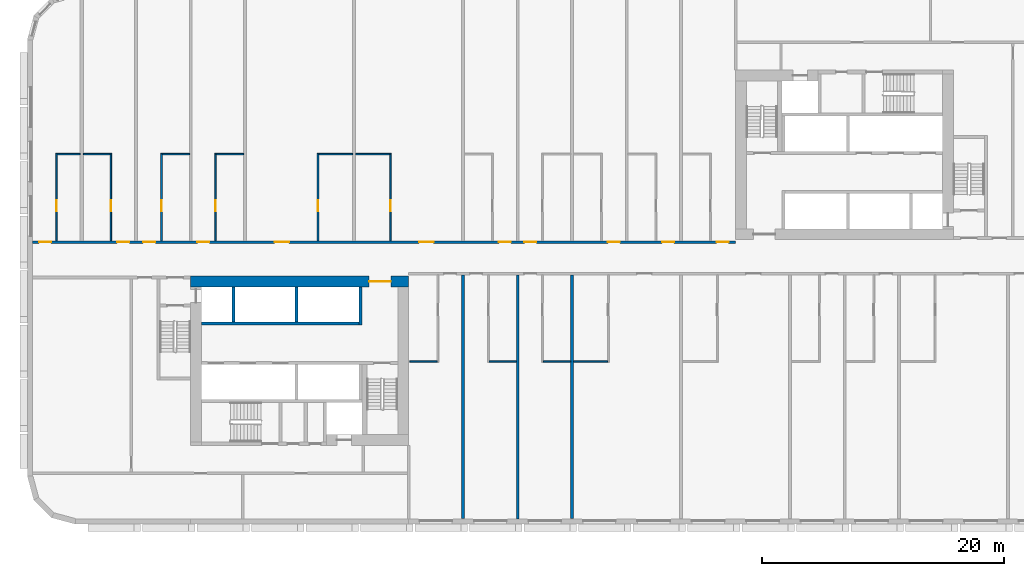
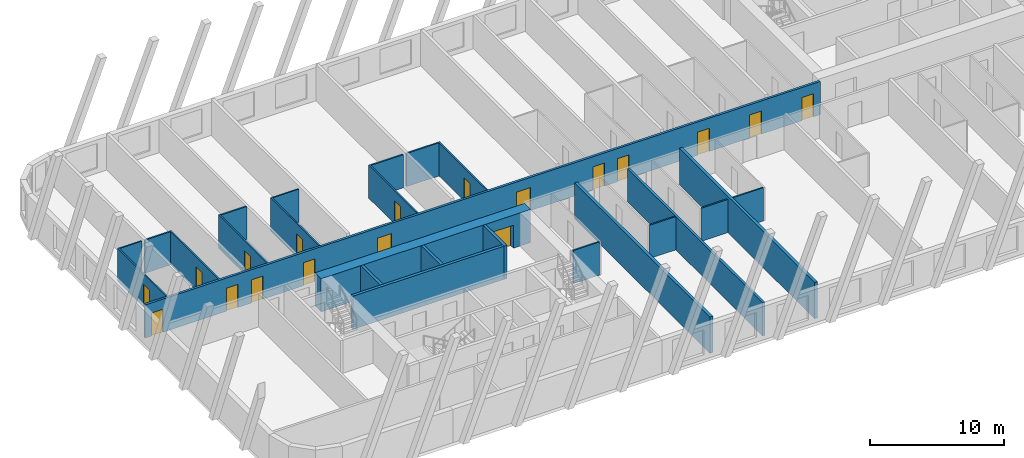
# One storey, part 3 of 13: 25 walls, 18 doors, 18 openings.
"""IFC4 building model written with IfcOpenShell, lengths in metres."""

from ifc_helpers import new_model, si_unit, direction, frame, frame_2d, origin, place, context, subcontext, project, spatial, rectangle, extrude, material, layer, layer_set, type_object, element, fill, save


model = new_model("IFC4")

# Units and contexts
model_context = context("Model", 3, precision=1e-05, world=origin(), true_north=direction((0.0, 1.0)))
body_context = subcontext(model_context, "Body", "Model", "MODEL_VIEW")
ifc_project = project(units=[si_unit("LENGTHUNIT", "METRE"), si_unit("AREAUNIT", "SQUARE_METRE"), si_unit("VOLUMEUNIT", "CUBIC_METRE"), si_unit("PLANEANGLEUNIT", "RADIAN"), si_unit("MASSUNIT", "GRAM", prefix="KILO")], contexts=[model_context])

# Site, building, storey
site_placement = place(None, origin())
site = spatial("IfcSite", under=ifc_project, at=site_placement, CompositionType="ELEMENT")
building_placement = place(site_placement, origin())
building = spatial("IfcBuilding", under=site, at=building_placement, Name="Kajstack Hotel Tower", CompositionType="ELEMENT")
storey_placement = place(building_placement, frame((0.0, 0.0, 69.89990234375)))
storey = spatial("IfcBuildingStorey", under=building, at=storey_placement, Name="L12", CompositionType="ELEMENT", Elevation=69.89990234375)

# Wall, opening, door
ifc_material_1 = material(Name="Concrete C60/75", Category="concrete")
ifc_layer_1 = layer(ifc_material_1, 0.89990234375)
ifc_layer_set_1 = layer_set([ifc_layer_1], Name="Core wall 900")
wall_type_1 = type_object("IfcWallType", Name="Core wall 900", PredefinedType="SHEAR", material=ifc_layer_set_1)
wall_1_placement = place(storey_placement, frame((-31.5, -1.949951171875, 0.0), z_axis=(0.0, 0.0, 1.0), x_axis=(1.0, 0.0, 0.0)))
wall_1 = element("IfcWall", 1, at=wall_1_placement, inside=storey, type_object=wall_type_1, Name="Core wall W RN", PredefinedType="SHEAR", context=body_context, shape_type="SweptSolid", body=[
    extrude(rectangle(XDim=18.0, YDim=0.89990234375, at=frame_2d((9.0, 0.0))), origin(), (0.0, 0.0, 1.0), 3.02001953125),
])
opening_1_placement = place(wall_1_placement, frame((14.72509765625, 0.0, 0.0)))
opening_1 = element("IfcOpeningElement", 2, at=opening_1_placement, cuts=wall_1, Name="Opening 12W06", PredefinedType="OPENING", context=body_context, shape_type="SweptSolid", body=[
    extrude(rectangle(XDim=1.800048828125, YDim=2.10009765625, at=frame_2d((0.89990234375, 1.050048828125))), frame((0.0, 0.4599609375, 0.0), z_axis=(0.0, -1.0, 0.0), x_axis=(1.0, 0.0, 0.0)), (0.0, 0.0, 1.0), 0.919921875),
])
ifc_material_2 = material(Name="Glazed steel frame, fire-rated glass", Category="steel")
door_type_1 = type_object("IfcDoorType", Name="Lobby double door 1800", OperationType="DOUBLE_DOOR_DOUBLE_SWING", PredefinedType="DOOR", material=ifc_material_2)
door_1_placement = place(opening_1_placement, origin())
door_1 = element("IfcDoor", 3, at=door_1_placement, inside=storey, type_object=door_type_1, Name="Door 12W06", OperationType="DOUBLE_DOOR_DOUBLE_SWING", OverallHeight=2.10009765625, OverallWidth=1.800048828125, PredefinedType="DOOR", context=body_context, shape_type="SweptSolid", body=[
    extrude(rectangle(XDim=1.800048828125, YDim=2.10009765625, at=frame_2d((0.89990234375, 1.050048828125))), frame((0.0, 0.02490234375, 0.0), z_axis=(0.0, -1.0, 0.0), x_axis=(1.0, 0.0, 0.0)), (0.0, 0.0, 1.0), 0.050048828125),
])
fill(opening_1, door_1)

# Wall, openings, doors
ifc_material_3 = material(Name="Gypsum board on steel studs, mineral wool", Category="steel")
ifc_layer_2 = layer(ifc_material_3, 0.199951171875)
ifc_layer_set_2 = layer_set([ifc_layer_2], Name="Corridor wall 200")
wall_type_2 = type_object("IfcWallType", Name="Corridor wall 200", PredefinedType="PARTITIONING", material=ifc_layer_set_2)
wall_2_placement = place(storey_placement, frame((-44.550048828125, 1.300048828125, 0.0), z_axis=(0.0, 0.0, 1.0), x_axis=(1.0, 0.0, 0.0)))
wall_2 = element("IfcWall", 4, at=wall_2_placement, inside=storey, type_object=wall_type_2, Name="G-wall-L12-003", PredefinedType="PARTITIONING", context=body_context, shape_type="SweptSolid", body=[
    extrude(rectangle(XDim=58.050048828125, YDim=0.199951171875, at=frame_2d((29.02490234375, 0.0))), origin(), (0.0, 0.0, 1.0), 3.02001953125),
])
opening_2_placement = place(wall_2_placement, frame((0.52490234375, 0.0, 0.0)))
opening_2 = element("IfcOpeningElement", 5, at=opening_2_placement, cuts=wall_2, Name="Opening 12001", PredefinedType="OPENING", context=body_context, shape_type="SweptSolid", body=[
    extrude(rectangle(XDim=1.0, YDim=2.10009765625, at=frame_2d((0.5, 1.050048828125))), frame((0.0, 0.10986328125, 0.0), z_axis=(0.0, -1.0, 0.0), x_axis=(1.0, 0.0, 0.0)), (0.0, 0.0, 1.0), 0.219970703125),
])
opening_3_placement = place(wall_2_placement, frame((6.97509765625, 0.0, 0.0)))
opening_3 = element("IfcOpeningElement", 6, at=opening_3_placement, cuts=wall_2, Name="Opening 12003", PredefinedType="OPENING", context=body_context, shape_type="SweptSolid", body=[
    extrude(rectangle(XDim=1.0, YDim=2.10009765625, at=frame_2d((0.5, 1.050048828125))), frame((0.0, 0.10986328125, 0.0), z_axis=(0.0, -1.0, 0.0), x_axis=(1.0, 0.0, 0.0)), (0.0, 0.0, 1.0), 0.219970703125),
])
opening_4_placement = place(wall_2_placement, frame((9.125, 0.0, 0.0)))
opening_4 = element("IfcOpeningElement", 7, at=opening_4_placement, cuts=wall_2, Name="Opening 12005", PredefinedType="OPENING", context=body_context, shape_type="SweptSolid", body=[
    extrude(rectangle(XDim=1.0, YDim=2.10009765625, at=frame_2d((0.5, 1.050048828125))), frame((0.0, 0.10986328125, 0.0), z_axis=(0.0, -1.0, 0.0), x_axis=(1.0, 0.0, 0.0)), (0.0, 0.0, 1.0), 0.219970703125),
])
opening_5_placement = place(wall_2_placement, frame((13.60009765625, 0.0, 0.0)))
opening_5 = element("IfcOpeningElement", 8, at=opening_5_placement, cuts=wall_2, Name="Opening 12007", PredefinedType="OPENING", context=body_context, shape_type="SweptSolid", body=[
    extrude(rectangle(XDim=1.0, YDim=2.10009765625, at=frame_2d((0.5, 1.050048828125))), frame((0.0, 0.10986328125, 0.0), z_axis=(0.0, -1.0, 0.0), x_axis=(1.0, 0.0, 0.0)), (0.0, 0.0, 1.0), 0.219970703125),
])
opening_6_placement = place(wall_2_placement, frame((19.987060546875, 0.0, 0.0)))
opening_6 = element("IfcOpeningElement", 9, at=opening_6_placement, cuts=wall_2, Name="Opening 12009", PredefinedType="OPENING", context=body_context, shape_type="SweptSolid", body=[
    extrude(rectangle(XDim=1.199951171875, YDim=2.10009765625, at=frame_2d((0.60009765625, 1.050048828125))), frame((0.0, 0.10986328125, 0.0), z_axis=(0.0, -1.0, 0.0), x_axis=(1.0, 0.0, 0.0)), (0.0, 0.0, 1.0), 0.219970703125),
])
opening_7_placement = place(wall_2_placement, frame((31.912109375, 0.0, 0.0)))
opening_7 = element("IfcOpeningElement", 10, at=opening_7_placement, cuts=wall_2, Name="Opening 12011", PredefinedType="OPENING", context=body_context, shape_type="SweptSolid", body=[
    extrude(rectangle(XDim=1.199951171875, YDim=2.10009765625, at=frame_2d((0.60009765625, 1.050048828125))), frame((0.0, 0.10986328125, 0.0), z_axis=(0.0, -1.0, 0.0), x_axis=(1.0, 0.0, 0.0)), (0.0, 0.0, 1.0), 0.219970703125),
])
opening_8_placement = place(wall_2_placement, frame((38.5, 0.0, 0.0)))
opening_8 = element("IfcOpeningElement", 11, at=opening_8_placement, cuts=wall_2, Name="Opening 12013", PredefinedType="OPENING", context=body_context, shape_type="SweptSolid", body=[
    extrude(rectangle(XDim=1.0, YDim=2.10009765625, at=frame_2d((0.5, 1.050048828125))), frame((0.0, 0.10986328125, 0.0), z_axis=(0.0, -1.0, 0.0), x_axis=(1.0, 0.0, 0.0)), (0.0, 0.0, 1.0), 0.219970703125),
])
opening_9_placement = place(wall_2_placement, frame((40.60009765625, 0.0, 0.0)))
opening_9 = element("IfcOpeningElement", 12, at=opening_9_placement, cuts=wall_2, Name="Opening 12015", PredefinedType="OPENING", context=body_context, shape_type="SweptSolid", body=[
    extrude(rectangle(XDim=1.0, YDim=2.10009765625, at=frame_2d((0.5, 1.050048828125))), frame((0.0, 0.10986328125, 0.0), z_axis=(0.0, -1.0, 0.0), x_axis=(1.0, 0.0, 0.0)), (0.0, 0.0, 1.0), 0.219970703125),
])
opening_10_placement = place(wall_2_placement, frame((47.5, 0.0, 0.0)))
opening_10 = element("IfcOpeningElement", 13, at=opening_10_placement, cuts=wall_2, Name="Opening 12017", PredefinedType="OPENING", context=body_context, shape_type="SweptSolid", body=[
    extrude(rectangle(XDim=1.0, YDim=2.10009765625, at=frame_2d((0.5, 1.050048828125))), frame((0.0, 0.10986328125, 0.0), z_axis=(0.0, -1.0, 0.0), x_axis=(1.0, 0.0, 0.0)), (0.0, 0.0, 1.0), 0.219970703125),
])
opening_11_placement = place(wall_2_placement, frame((51.97509765625, 0.0, 0.0)))
opening_11 = element("IfcOpeningElement", 14, at=opening_11_placement, cuts=wall_2, Name="Opening 12019", PredefinedType="OPENING", context=body_context, shape_type="SweptSolid", body=[
    extrude(rectangle(XDim=1.0, YDim=2.10009765625, at=frame_2d((0.5, 1.050048828125))), frame((0.0, 0.10986328125, 0.0), z_axis=(0.0, -1.0, 0.0), x_axis=(1.0, 0.0, 0.0)), (0.0, 0.0, 1.0), 0.219970703125),
])
opening_12_placement = place(wall_2_placement, frame((56.47509765625, 0.0, 0.0)))
opening_12 = element("IfcOpeningElement", 15, at=opening_12_placement, cuts=wall_2, Name="Opening 12021", PredefinedType="OPENING", context=body_context, shape_type="SweptSolid", body=[
    extrude(rectangle(XDim=1.0, YDim=2.10009765625, at=frame_2d((0.5, 1.050048828125))), frame((0.0, 0.10986328125, 0.0), z_axis=(0.0, -1.0, 0.0), x_axis=(1.0, 0.0, 0.0)), (0.0, 0.0, 1.0), 0.219970703125),
])
ifc_material_4 = material(Name="Oak veneer on timber core, fire-rated leaf", Category="wood")
door_type_2 = type_object("IfcDoorType", Name="Flat entrance door 1000", OperationType="SINGLE_SWING_LEFT", PredefinedType="DOOR", material=ifc_material_4)
door_2_placement = place(opening_2_placement, origin())
door_2 = element("IfcDoor", 16, at=door_2_placement, inside=storey, type_object=door_type_2, Name="G-door-L12-01", OperationType="SINGLE_SWING_RIGHT", OverallHeight=2.10009765625, OverallWidth=1.0, PredefinedType="DOOR", context=body_context, shape_type="SweptSolid", body=[
    extrude(rectangle(XDim=1.0, YDim=2.10009765625, at=frame_2d((0.5, 1.050048828125))), frame((0.0, 0.02490234375, 0.0), z_axis=(0.0, -1.0, 0.0), x_axis=(1.0, 0.0, 0.0)), (0.0, 0.0, 1.0), 0.050048828125),
])
fill(opening_2, door_2)
door_3_placement = place(opening_3_placement, origin())
door_3 = element("IfcDoor", 17, at=door_3_placement, inside=storey, type_object=door_type_2, Name="G-door-L12-03", OperationType="SINGLE_SWING_LEFT", OverallHeight=2.10009765625, OverallWidth=1.0, PredefinedType="DOOR", context=body_context, shape_type="SweptSolid", body=[
    extrude(rectangle(XDim=1.0, YDim=2.10009765625, at=frame_2d((0.5, 1.050048828125))), frame((0.0, 0.02490234375, 0.0), z_axis=(0.0, -1.0, 0.0), x_axis=(1.0, 0.0, 0.0)), (0.0, 0.0, 1.0), 0.050048828125),
])
fill(opening_3, door_3)
door_4_placement = place(opening_4_placement, origin())
door_4 = element("IfcDoor", 18, at=door_4_placement, inside=storey, type_object=door_type_2, Name="G-door-L12-05", OperationType="SINGLE_SWING_RIGHT", OverallHeight=2.10009765625, OverallWidth=1.0, PredefinedType="DOOR", context=body_context, shape_type="SweptSolid", body=[
    extrude(rectangle(XDim=1.0, YDim=2.10009765625, at=frame_2d((0.5, 1.050048828125))), frame((0.0, 0.02490234375, 0.0), z_axis=(0.0, -1.0, 0.0), x_axis=(1.0, 0.0, 0.0)), (0.0, 0.0, 1.0), 0.050048828125),
])
fill(opening_4, door_4)
door_5_placement = place(opening_5_placement, origin())
door_5 = element("IfcDoor", 19, at=door_5_placement, inside=storey, type_object=door_type_2, Name="G-door-L12-07", OperationType="SINGLE_SWING_RIGHT", OverallHeight=2.10009765625, OverallWidth=1.0, PredefinedType="DOOR", context=body_context, shape_type="SweptSolid", body=[
    extrude(rectangle(XDim=1.0, YDim=2.10009765625, at=frame_2d((0.5, 1.050048828125))), frame((0.0, 0.02490234375, 0.0), z_axis=(0.0, -1.0, 0.0), x_axis=(1.0, 0.0, 0.0)), (0.0, 0.0, 1.0), 0.050048828125),
])
fill(opening_5, door_5)
door_6_placement = place(opening_8_placement, origin())
door_6 = element("IfcDoor", 20, at=door_6_placement, inside=storey, type_object=door_type_2, Name="G-door-L12-13", OperationType="SINGLE_SWING_RIGHT", OverallHeight=2.10009765625, OverallWidth=1.0, PredefinedType="DOOR", context=body_context, shape_type="SweptSolid", body=[
    extrude(rectangle(XDim=1.0, YDim=2.10009765625, at=frame_2d((0.5, 1.050048828125))), frame((0.0, 0.02490234375, 0.0), z_axis=(0.0, -1.0, 0.0), x_axis=(1.0, 0.0, 0.0)), (0.0, 0.0, 1.0), 0.050048828125),
])
fill(opening_8, door_6)
door_7_placement = place(opening_9_placement, origin())
door_7 = element("IfcDoor", 21, at=door_7_placement, inside=storey, type_object=door_type_2, Name="G-door-L12-15", OperationType="SINGLE_SWING_RIGHT", OverallHeight=2.10009765625, OverallWidth=1.0, PredefinedType="DOOR", context=body_context, shape_type="SweptSolid", body=[
    extrude(rectangle(XDim=1.0, YDim=2.10009765625, at=frame_2d((0.5, 1.050048828125))), frame((0.0, 0.02490234375, 0.0), z_axis=(0.0, -1.0, 0.0), x_axis=(1.0, 0.0, 0.0)), (0.0, 0.0, 1.0), 0.050048828125),
])
fill(opening_9, door_7)
door_8_placement = place(opening_10_placement, origin())
door_8 = element("IfcDoor", 22, at=door_8_placement, inside=storey, type_object=door_type_2, Name="G-door-L12-17", OperationType="SINGLE_SWING_RIGHT", OverallHeight=2.10009765625, OverallWidth=1.0, PredefinedType="DOOR", context=body_context, shape_type="SweptSolid", body=[
    extrude(rectangle(XDim=1.0, YDim=2.10009765625, at=frame_2d((0.5, 1.050048828125))), frame((0.0, 0.02490234375, 0.0), z_axis=(0.0, -1.0, 0.0), x_axis=(1.0, 0.0, 0.0)), (0.0, 0.0, 1.0), 0.050048828125),
])
fill(opening_10, door_8)
door_9_placement = place(opening_11_placement, origin())
door_9 = element("IfcDoor", 23, at=door_9_placement, inside=storey, type_object=door_type_2, Name="G-door-L12-19", OperationType="SINGLE_SWING_LEFT", OverallHeight=2.10009765625, OverallWidth=1.0, PredefinedType="DOOR", context=body_context, shape_type="SweptSolid", body=[
    extrude(rectangle(XDim=1.0, YDim=2.10009765625, at=frame_2d((0.5, 1.050048828125))), frame((0.0, 0.02490234375, 0.0), z_axis=(0.0, -1.0, 0.0), x_axis=(1.0, 0.0, 0.0)), (0.0, 0.0, 1.0), 0.050048828125),
])
fill(opening_11, door_9)
door_10_placement = place(opening_12_placement, origin())
door_10 = element("IfcDoor", 24, at=door_10_placement, inside=storey, type_object=door_type_2, Name="G-door-L12-21", OperationType="SINGLE_SWING_LEFT", OverallHeight=2.10009765625, OverallWidth=1.0, PredefinedType="DOOR", context=body_context, shape_type="SweptSolid", body=[
    extrude(rectangle(XDim=1.0, YDim=2.10009765625, at=frame_2d((0.5, 1.050048828125))), frame((0.0, 0.02490234375, 0.0), z_axis=(0.0, -1.0, 0.0), x_axis=(1.0, 0.0, 0.0)), (0.0, 0.0, 1.0), 0.050048828125),
])
fill(opening_12, door_10)
door_type_3 = type_object("IfcDoorType", Name="Flat entrance door 1200", OperationType="SINGLE_SWING_LEFT", PredefinedType="DOOR", material=ifc_material_4)
door_11_placement = place(opening_6_placement, origin())
door_11 = element("IfcDoor", 25, at=door_11_placement, inside=storey, type_object=door_type_3, Name="G-door-L12-09", OperationType="SINGLE_SWING_RIGHT", OverallHeight=2.10009765625, OverallWidth=1.199951171875, PredefinedType="DOOR", context=body_context, shape_type="SweptSolid", body=[
    extrude(rectangle(XDim=1.199951171875, YDim=2.10009765625, at=frame_2d((0.60009765625, 1.050048828125))), frame((0.0, 0.02490234375, 0.0), z_axis=(0.0, -1.0, 0.0), x_axis=(1.0, 0.0, 0.0)), (0.0, 0.0, 1.0), 0.050048828125),
])
fill(opening_6, door_11)
door_12_placement = place(opening_7_placement, origin())
door_12 = element("IfcDoor", 26, at=door_12_placement, inside=storey, type_object=door_type_3, Name="G-door-L12-11", OperationType="SINGLE_SWING_RIGHT", OverallHeight=2.10009765625, OverallWidth=1.199951171875, PredefinedType="DOOR", context=body_context, shape_type="SweptSolid", body=[
    extrude(rectangle(XDim=1.199951171875, YDim=2.10009765625, at=frame_2d((0.60009765625, 1.050048828125))), frame((0.0, 0.02490234375, 0.0), z_axis=(0.0, -1.0, 0.0), x_axis=(1.0, 0.0, 0.0)), (0.0, 0.0, 1.0), 0.050048828125),
])
fill(opening_7, door_12)

# Wall
ifc_material_5 = material(Name="Twin-frame gypsum board on steel studs, mineral wool", Category="steel")
ifc_layer_3 = layer(ifc_material_5, 0.199951171875)
ifc_layer_set_3 = layer_set([ifc_layer_3], Name="Demising wall 200")
wall_type_3 = type_object("IfcWallType", Name="Demising wall 200", PredefinedType="PARTITIONING", material=ifc_layer_set_3)
wall_3_placement = place(storey_placement, frame((-4.5, -21.550048828125, 0.0), z_axis=(0.0, 0.0, 1.0), x_axis=(0.0, 1.0, 0.0)))
element("IfcWall", 27, at=wall_3_placement, inside=storey, type_object=wall_type_3, Name="G-wall-L12-032", PredefinedType="PARTITIONING", context=body_context, shape_type="SweptSolid", body=[
    extrude(rectangle(XDim=20.150146484375, YDim=0.199951171875, at=frame_2d((10.0751953125, 0.0))), origin(), (0.0, 0.0, 1.0), 3.02001953125),
])

# Wall, opening, door
ifc_material_6 = material(Name="Gypsum board and tiled backer on steel studs", Category="steel")
ifc_layer_4 = layer(ifc_material_6, 0.125)
ifc_layer_set_4 = layer_set([ifc_layer_4], Name="En-suite wall 125")
wall_type_4 = type_object("IfcWallType", Name="En-suite wall 125", PredefinedType="PARTITIONING", material=ifc_layer_set_4)
wall_4_placement = place(storey_placement, frame((-42.5869140625, 1.39990234375, 0.0), z_axis=(0.0, 0.0, 1.0), x_axis=(0.0, 1.0, 0.0)))
wall_4 = element("IfcWall", 28, at=wall_4_placement, inside=storey, type_object=wall_type_4, Name="G-wall-L12-004", PredefinedType="PARTITIONING", context=body_context, shape_type="SweptSolid", body=[
    extrude(rectangle(XDim=7.22509765625, YDim=0.125, at=frame_2d((3.612548828125, 0.0))), origin(), (0.0, 0.0, 1.0), 3.02001953125),
])
opening_13_placement = place(wall_4_placement, frame((2.449951171875, 0.0, 0.0)))
opening_13 = element("IfcOpeningElement", 29, at=opening_13_placement, cuts=wall_4, Name="Opening 12002", PredefinedType="OPENING", context=body_context, shape_type="SweptSolid", body=[
    extrude(rectangle(XDim=0.89990234375, YDim=2.10009765625, at=frame_2d((0.449951171875, 1.050048828125))), frame((0.0, 0.072509765625, 0.0), z_axis=(0.0, -1.0, 0.0), x_axis=(1.0, 0.0, 0.0)), (0.0, 0.0, 1.0), 0.14501953125),
])
ifc_material_7 = material(Name="Painted timber door leaf", Category="wood")
door_type_4 = type_object("IfcDoorType", Name="Room door 900", OperationType="SINGLE_SWING_LEFT", PredefinedType="DOOR", material=ifc_material_7)
door_13_placement = place(opening_13_placement, origin())
door_13 = element("IfcDoor", 30, at=door_13_placement, inside=storey, type_object=door_type_4, Name="G-door-L12-02", OperationType="SINGLE_SWING_LEFT", OverallHeight=2.10009765625, OverallWidth=0.89990234375, PredefinedType="DOOR", context=body_context, shape_type="SweptSolid", body=[
    extrude(rectangle(XDim=0.89990234375, YDim=2.10009765625, at=frame_2d((0.449951171875, 1.050048828125))), frame((0.0, 0.02490234375, 0.0), z_axis=(0.0, -1.0, 0.0), x_axis=(1.0, 0.0, 0.0)), (0.0, 0.0, 1.0), 0.050048828125),
])
fill(opening_13, door_13)

# Wall
wall_5_placement = place(storey_placement, frame((-42.52490234375, 8.56201171875, 0.0), z_axis=(0.0, 0.0, 1.0), x_axis=(1.0, 0.0, 0.0)))
element("IfcWall", 31, at=wall_5_placement, inside=storey, type_object=wall_type_4, Name="G-wall-L12-005", PredefinedType="PARTITIONING", context=body_context, shape_type="SweptSolid", body=[
    extrude(rectangle(XDim=1.89990234375, YDim=0.125, at=frame_2d((0.949951171875, 0.0))), origin(), (0.0, 0.0, 1.0), 3.02001953125),
])

# Wall, opening, door
wall_6_placement = place(storey_placement, frame((-38.0869140625, 1.39990234375, 0.0), z_axis=(0.0, 0.0, 1.0), x_axis=(0.0, 1.0, 0.0)))
wall_6 = element("IfcWall", 32, at=wall_6_placement, inside=storey, type_object=wall_type_4, Name="G-wall-L12-006", PredefinedType="PARTITIONING", context=body_context, shape_type="SweptSolid", body=[
    extrude(rectangle(XDim=7.22509765625, YDim=0.125, at=frame_2d((3.612548828125, 0.0))), origin(), (0.0, 0.0, 1.0), 3.02001953125),
])
opening_14_placement = place(wall_6_placement, frame((2.449951171875, 0.0, 0.0)))
opening_14 = element("IfcOpeningElement", 33, at=opening_14_placement, cuts=wall_6, Name="Opening 12004", PredefinedType="OPENING", context=body_context, shape_type="SweptSolid", body=[
    extrude(rectangle(XDim=0.89990234375, YDim=2.10009765625, at=frame_2d((0.449951171875, 1.050048828125))), frame((0.0, 0.072509765625, 0.0), z_axis=(0.0, -1.0, 0.0), x_axis=(1.0, 0.0, 0.0)), (0.0, 0.0, 1.0), 0.14501953125),
])
door_14_placement = place(opening_14_placement, origin())
door_14 = element("IfcDoor", 34, at=door_14_placement, inside=storey, type_object=door_type_4, Name="G-door-L12-04", OperationType="SINGLE_SWING_RIGHT", OverallHeight=2.10009765625, OverallWidth=0.89990234375, PredefinedType="DOOR", context=body_context, shape_type="SweptSolid", body=[
    extrude(rectangle(XDim=0.89990234375, YDim=2.10009765625, at=frame_2d((0.449951171875, 1.050048828125))), frame((0.0, 0.02490234375, 0.0), z_axis=(0.0, -1.0, 0.0), x_axis=(1.0, 0.0, 0.0)), (0.0, 0.0, 1.0), 0.050048828125),
])
fill(opening_14, door_14)

# Wall
wall_7_placement = place(storey_placement, frame((-40.375, 8.56201171875, 0.0), z_axis=(0.0, 0.0, 1.0), x_axis=(1.0, 0.0, 0.0)))
element("IfcWall", 35, at=wall_7_placement, inside=storey, type_object=wall_type_4, Name="G-wall-L12-007", PredefinedType="PARTITIONING", context=body_context, shape_type="SweptSolid", body=[
    extrude(rectangle(XDim=2.22509765625, YDim=0.125, at=frame_2d((1.112548828125, 0.0))), origin(), (0.0, 0.0, 1.0), 3.02001953125),
])

# Wall, opening, door
wall_8_placement = place(storey_placement, frame((-33.9130859375, 1.39990234375, 0.0), z_axis=(0.0, 0.0, 1.0), x_axis=(0.0, 1.0, 0.0)))
wall_8 = element("IfcWall", 36, at=wall_8_placement, inside=storey, type_object=wall_type_4, Name="G-wall-L12-009", PredefinedType="PARTITIONING", context=body_context, shape_type="SweptSolid", body=[
    extrude(rectangle(XDim=7.22509765625, YDim=0.125, at=frame_2d((3.612548828125, 0.0))), origin(), (0.0, 0.0, 1.0), 3.02001953125),
])
opening_15_placement = place(wall_8_placement, frame((2.449951171875, 0.0, 0.0)))
opening_15 = element("IfcOpeningElement", 37, at=opening_15_placement, cuts=wall_8, Name="Opening 12006", PredefinedType="OPENING", context=body_context, shape_type="SweptSolid", body=[
    extrude(rectangle(XDim=0.89990234375, YDim=2.10009765625, at=frame_2d((0.449951171875, 1.050048828125))), frame((0.0, 0.072509765625, 0.0), z_axis=(0.0, -1.0, 0.0), x_axis=(1.0, 0.0, 0.0)), (0.0, 0.0, 1.0), 0.14501953125),
])
door_15_placement = place(opening_15_placement, origin())
door_15 = element("IfcDoor", 38, at=door_15_placement, inside=storey, type_object=door_type_4, Name="G-door-L12-06", OperationType="SINGLE_SWING_RIGHT", OverallHeight=2.10009765625, OverallWidth=0.89990234375, PredefinedType="DOOR", context=body_context, shape_type="SweptSolid", body=[
    extrude(rectangle(XDim=0.89990234375, YDim=2.10009765625, at=frame_2d((0.449951171875, 1.050048828125))), frame((0.0, 0.02490234375, 0.0), z_axis=(0.0, -1.0, 0.0), x_axis=(1.0, 0.0, 0.0)), (0.0, 0.0, 1.0), 0.050048828125),
])
fill(opening_15, door_15)

# Wall
wall_9_placement = place(storey_placement, frame((-33.85009765625, 8.56201171875, 0.0), z_axis=(0.0, 0.0, 1.0), x_axis=(1.0, 0.0, 0.0)))
element("IfcWall", 39, at=wall_9_placement, inside=storey, type_object=wall_type_4, Name="G-wall-L12-010", PredefinedType="PARTITIONING", context=body_context, shape_type="SweptSolid", body=[
    extrude(rectangle(XDim=2.25, YDim=0.125, at=frame_2d((1.125, 0.0))), origin(), (0.0, 0.0, 1.0), 3.02001953125),
])

# Wall, opening, door
wall_10_placement = place(storey_placement, frame((-29.43798828125, 1.39990234375, 0.0), z_axis=(0.0, 0.0, 1.0), x_axis=(0.0, 1.0, 0.0)))
wall_10 = element("IfcWall", 40, at=wall_10_placement, inside=storey, type_object=wall_type_4, Name="G-wall-L12-011", PredefinedType="PARTITIONING", context=body_context, shape_type="SweptSolid", body=[
    extrude(rectangle(XDim=7.22509765625, YDim=0.125, at=frame_2d((3.612548828125, 0.0))), origin(), (0.0, 0.0, 1.0), 3.02001953125),
])
opening_16_placement = place(wall_10_placement, frame((2.449951171875, 0.0, 0.0)))
opening_16 = element("IfcOpeningElement", 41, at=opening_16_placement, cuts=wall_10, Name="Opening 12008", PredefinedType="OPENING", context=body_context, shape_type="SweptSolid", body=[
    extrude(rectangle(XDim=0.89990234375, YDim=2.10009765625, at=frame_2d((0.449951171875, 1.050048828125))), frame((0.0, 0.072509765625, 0.0), z_axis=(0.0, -1.0, 0.0), x_axis=(1.0, 0.0, 0.0)), (0.0, 0.0, 1.0), 0.14501953125),
])
door_16_placement = place(opening_16_placement, origin())
door_16 = element("IfcDoor", 42, at=door_16_placement, inside=storey, type_object=door_type_4, Name="G-door-L12-08", OperationType="SINGLE_SWING_LEFT", OverallHeight=2.10009765625, OverallWidth=0.89990234375, PredefinedType="DOOR", context=body_context, shape_type="SweptSolid", body=[
    extrude(rectangle(XDim=0.89990234375, YDim=2.10009765625, at=frame_2d((0.449951171875, 1.050048828125))), frame((0.0, 0.02490234375, 0.0), z_axis=(0.0, -1.0, 0.0), x_axis=(1.0, 0.0, 0.0)), (0.0, 0.0, 1.0), 0.050048828125),
])
fill(opening_16, door_16)

# Wall
wall_11_placement = place(storey_placement, frame((-29.375, 8.56201171875, 0.0), z_axis=(0.0, 0.0, 1.0), x_axis=(1.0, 0.0, 0.0)))
element("IfcWall", 43, at=wall_11_placement, inside=storey, type_object=wall_type_4, Name="G-wall-L12-012", PredefinedType="PARTITIONING", context=body_context, shape_type="SweptSolid", body=[
    extrude(rectangle(XDim=2.25, YDim=0.125, at=frame_2d((1.125, 0.0))), origin(), (0.0, 0.0, 1.0), 3.02001953125),
])

# Wall, opening, door
wall_12_placement = place(storey_placement, frame((-20.988037109375, 1.39990234375, 0.0), z_axis=(0.0, 0.0, 1.0), x_axis=(0.0, 1.0, 0.0)))
wall_12 = element("IfcWall", 44, at=wall_12_placement, inside=storey, type_object=wall_type_4, Name="G-wall-L12-013", PredefinedType="PARTITIONING", context=body_context, shape_type="SweptSolid", body=[
    extrude(rectangle(XDim=7.22509765625, YDim=0.125, at=frame_2d((3.612548828125, 0.0))), origin(), (0.0, 0.0, 1.0), 3.02001953125),
])
opening_17_placement = place(wall_12_placement, frame((2.449951171875, 0.0, 0.0)))
opening_17 = element("IfcOpeningElement", 45, at=opening_17_placement, cuts=wall_12, Name="Opening 12010", PredefinedType="OPENING", context=body_context, shape_type="SweptSolid", body=[
    extrude(rectangle(XDim=0.89990234375, YDim=2.10009765625, at=frame_2d((0.449951171875, 1.050048828125))), frame((0.0, 0.072509765625, 0.0), z_axis=(0.0, -1.0, 0.0), x_axis=(1.0, 0.0, 0.0)), (0.0, 0.0, 1.0), 0.14501953125),
])
door_17_placement = place(opening_17_placement, origin())
door_17 = element("IfcDoor", 46, at=door_17_placement, inside=storey, type_object=door_type_4, Name="G-door-L12-10", OperationType="SINGLE_SWING_RIGHT", OverallHeight=2.10009765625, OverallWidth=0.89990234375, PredefinedType="DOOR", context=body_context, shape_type="SweptSolid", body=[
    extrude(rectangle(XDim=0.89990234375, YDim=2.10009765625, at=frame_2d((0.449951171875, 1.050048828125))), frame((0.0, 0.02490234375, 0.0), z_axis=(0.0, -1.0, 0.0), x_axis=(1.0, 0.0, 0.0)), (0.0, 0.0, 1.0), 0.050048828125),
])
fill(opening_17, door_17)

# Wall
wall_13_placement = place(storey_placement, frame((-20.925048828125, 8.56201171875, 0.0), z_axis=(0.0, 0.0, 1.0), x_axis=(1.0, 0.0, 0.0)))
element("IfcWall", 47, at=wall_13_placement, inside=storey, type_object=wall_type_4, Name="G-wall-L12-014", PredefinedType="PARTITIONING", context=body_context, shape_type="SweptSolid", body=[
    extrude(rectangle(XDim=2.800048828125, YDim=0.125, at=frame_2d((1.39990234375, 0.0))), origin(), (0.0, 0.0, 1.0), 3.02001953125),
])

# Wall, opening, door
wall_14_placement = place(storey_placement, frame((-15.011962890625, 1.39990234375, 0.0), z_axis=(0.0, 0.0, 1.0), x_axis=(0.0, 1.0, 0.0)))
wall_14 = element("IfcWall", 48, at=wall_14_placement, inside=storey, type_object=wall_type_4, Name="G-wall-L12-015", PredefinedType="PARTITIONING", context=body_context, shape_type="SweptSolid", body=[
    extrude(rectangle(XDim=7.22509765625, YDim=0.125, at=frame_2d((3.612548828125, 0.0))), origin(), (0.0, 0.0, 1.0), 3.02001953125),
])
opening_18_placement = place(wall_14_placement, frame((2.449951171875, 0.0, 0.0)))
opening_18 = element("IfcOpeningElement", 49, at=opening_18_placement, cuts=wall_14, Name="Opening 12012", PredefinedType="OPENING", context=body_context, shape_type="SweptSolid", body=[
    extrude(rectangle(XDim=0.89990234375, YDim=2.10009765625, at=frame_2d((0.449951171875, 1.050048828125))), frame((0.0, 0.072509765625, 0.0), z_axis=(0.0, -1.0, 0.0), x_axis=(1.0, 0.0, 0.0)), (0.0, 0.0, 1.0), 0.14501953125),
])
door_18_placement = place(opening_18_placement, origin())
door_18 = element("IfcDoor", 50, at=door_18_placement, inside=storey, type_object=door_type_4, Name="G-door-L12-12", OperationType="SINGLE_SWING_RIGHT", OverallHeight=2.10009765625, OverallWidth=0.89990234375, PredefinedType="DOOR", context=body_context, shape_type="SweptSolid", body=[
    extrude(rectangle(XDim=0.89990234375, YDim=2.10009765625, at=frame_2d((0.449951171875, 1.050048828125))), frame((0.0, 0.02490234375, 0.0), z_axis=(0.0, -1.0, 0.0), x_axis=(1.0, 0.0, 0.0)), (0.0, 0.0, 1.0), 0.050048828125),
])
fill(opening_18, door_18)

# Walls
wall_15_placement = place(storey_placement, frame((-17.875, 8.56201171875, 0.0), z_axis=(0.0, 0.0, 1.0), x_axis=(1.0, 0.0, 0.0)))
element("IfcWall", 51, at=wall_15_placement, inside=storey, type_object=wall_type_4, Name="G-wall-L12-016", PredefinedType="PARTITIONING", context=body_context, shape_type="SweptSolid", body=[
    extrude(rectangle(XDim=2.800048828125, YDim=0.125, at=frame_2d((1.39990234375, 0.0))), origin(), (0.0, 0.0, 1.0), 3.02001953125),
])
for number, where, z_axis, x_axis, name in (
    (52, (-13.39990234375, -8.56201171875, 0.0), (0.0, 0.0, 1.0), (1.0, 0.0, 0.0), "G-wall-L12-031"),
    (53, (-6.85009765625, -8.56201171875, 0.0), (0.0, 0.0, 1.0), (1.0, 0.0, 0.0), "G-wall-L12-034"),
    (54, (-2.375, -8.56201171875, 0.0), (0.0, 0.0, 1.0), (1.0, 0.0, 0.0), "G-wall-L12-036"),
):
    element("IfcWall", number, at=place(storey_placement, frame(where, z_axis=z_axis, x_axis=x_axis)), inside=storey, type_object=wall_type_4, Name=name, PredefinedType="PARTITIONING", context=body_context, shape_type="SweptSolid", body=[
        extrude(rectangle(XDim=2.25, YDim=0.125, at=frame_2d((1.125, 0.0))), origin(), (0.0, 0.0, 1.0), 3.02001953125),
    ])
wall_16_placement = place(storey_placement, frame((0.125, -8.56201171875, 0.0), z_axis=(0.0, 0.0, 1.0), x_axis=(1.0, 0.0, 0.0)))
element("IfcWall", 55, at=wall_16_placement, inside=storey, type_object=wall_type_4, Name="G-wall-L12-038", PredefinedType="PARTITIONING", context=body_context, shape_type="SweptSolid", body=[
    extrude(rectangle(XDim=2.800048828125, YDim=0.125, at=frame_2d((1.39990234375, 0.0))), origin(), (0.0, 0.0, 1.0), 3.02001953125),
])
ifc_material_8 = material(Name="Concrete C50/60", Category="concrete")
ifc_layer_5 = layer(ifc_material_8, 0.300048828125)
ifc_layer_set_5 = layer_set([ifc_layer_5], Name="Hoistway divider wall 300")
wall_type_5 = type_object("IfcWallType", Name="Hoistway divider wall 300", PredefinedType="SHEAR", material=ifc_layer_set_5)
wall_17_placement = place(storey_placement, frame((-22.77490234375, -5.300048828125, 0.0), z_axis=(0.0, 0.0, 1.0), x_axis=(0.0, 1.0, 0.0)))
element("IfcWall", 56, at=wall_17_placement, inside=storey, type_object=wall_type_5, Name="Core wall W AP2", PredefinedType="SHEAR", context=body_context, shape_type="SweptSolid", body=[
    extrude(rectangle(XDim=2.900146484375, YDim=0.25, at=frame_2d((1.4501953125, 0.0))), origin(), (0.0, 0.0, 1.0), 3.02001953125),
])
ifc_layer_6 = layer(ifc_material_1, 0.25)
ifc_layer_set_6 = layer_set([ifc_layer_6], Name="RC cross wall 250 C60/75")
wall_type_6 = type_object("IfcWallType", Name="RC cross wall 250 C60/75", PredefinedType="SHEAR", material=ifc_layer_set_6)
for number, where, z_axis, x_axis, name in (
    (57, (-9.0, -21.5400390625, 0.0), (0.0, 0.0, 1.0), (0.0, 1.0, 0.0), "S-wall-L12-05"),
    (58, (0.0, -21.5400390625, 0.0), (0.0, 0.0, 1.0), (0.0, 1.0, 0.0), "S-wall-L12-07"),
):
    element("IfcWall", number, at=place(storey_placement, frame(where, z_axis=z_axis, x_axis=x_axis)), inside=storey, type_object=wall_type_6, Name=name, PredefinedType="SHEAR", context=body_context, shape_type="SweptSolid", body=[
        extrude(rectangle(XDim=20.14013671875, YDim=0.25, at=frame_2d((10.070068359375, 0.0))), origin(), (0.0, 0.0, 1.0), 3.300048828125),
    ])
ifc_layer_7 = layer(ifc_material_8, 0.25)
ifc_layer_set_7 = layer_set([ifc_layer_7], Name="Shaft wall 250")
wall_type_7 = type_object("IfcWallType", Name="Shaft wall 250", PredefinedType="SHEAR", material=ifc_layer_set_7)
wall_18_placement = place(storey_placement, frame((-30.60009765625, -5.425048828125, 0.0), z_axis=(0.0, 0.0, 1.0), x_axis=(1.0, 0.0, 0.0)))
element("IfcWall", 59, at=wall_18_placement, inside=storey, type_object=wall_type_7, Name="Core wall W FA", PredefinedType="SHEAR", context=body_context, shape_type="SweptSolid", body=[
    extrude(rectangle(XDim=13.0, YDim=0.25, at=frame_2d((6.5, 0.0))), origin(), (0.0, 0.0, 1.0), 3.02001953125),
])
wall_19_placement = place(storey_placement, frame((-17.47509765625, -5.550048828125, 0.0), z_axis=(0.0, 0.0, 1.0), x_axis=(0.0, 1.0, 0.0)))
element("IfcWall", 60, at=wall_19_placement, inside=storey, type_object=wall_type_7, Name="Core wall W AE", PredefinedType="SHEAR", context=body_context, shape_type="SweptSolid", body=[
    extrude(rectangle(XDim=3.150146484375, YDim=0.25, at=frame_2d((1.5751953125, 0.0))), origin(), (0.0, 0.0, 1.0), 3.02001953125),
])
wall_20_placement = place(storey_placement, frame((-27.97509765625, -5.300048828125, 0.0), z_axis=(0.0, 0.0, 1.0), x_axis=(0.0, 1.0, 0.0)))
element("IfcWall", 61, at=wall_20_placement, inside=storey, type_object=wall_type_7, Name="Core wall W AP0", PredefinedType="SHEAR", context=body_context, shape_type="SweptSolid", body=[
    extrude(rectangle(XDim=2.900146484375, YDim=0.25, at=frame_2d((1.4501953125, 0.0))), origin(), (0.0, 0.0, 1.0), 3.02001953125),
])

save(model, "model.ifc")
